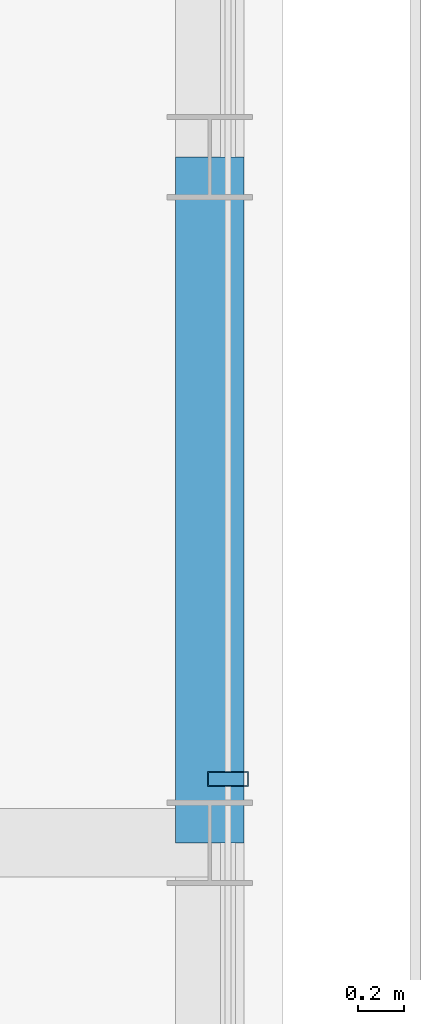
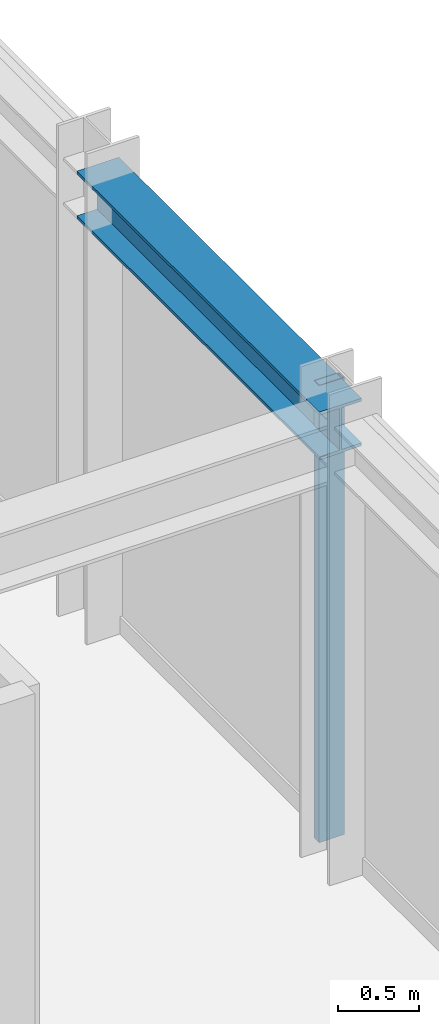
# One storey, part 15 of 32: 1 beam, 1 member, 1 element without a shape of its own.
"""IFC4 building model written with IfcOpenShell, lengths in metres."""

from ifc_helpers import new_model, si_unit, direction, frame, origin, origin_2d, place, context, subcontext, project, spatial, hollow_rectangle, i_section, extrude, source, transform, mapped, material, material_profile, profile_set, type_object, element, aggregate, save


model = new_model("IFC4")

# Units and contexts
model_context = context("Model", 3, precision=1e-05, world=origin(), true_north=direction((0.0, 1.0)))
body_context = subcontext(model_context, "Body", "Model", "MODEL_VIEW")
ifc_project = project(units=[si_unit("LENGTHUNIT", "METRE"), si_unit("AREAUNIT", "SQUARE_METRE"), si_unit("VOLUMEUNIT", "CUBIC_METRE"), si_unit("PLANEANGLEUNIT", "RADIAN"), si_unit("MASSUNIT", "GRAM", prefix="KILO")], contexts=[model_context])

# Site, building, storey
site_placement = place(None, origin())
site = spatial("IfcSite", under=ifc_project, at=site_placement, CompositionType="ELEMENT")
building_placement = place(site_placement, origin())
building = spatial("IfcBuilding", under=site, at=building_placement, Name="Nahalor Promenade Grand Hotel", CompositionType="ELEMENT")
storey_placement = place(building_placement, frame((0.0, 0.0, 266.300048828125)))
storey = spatial("IfcBuildingStorey", under=building, at=storey_placement, Name="L68", CompositionType="ELEMENT", Elevation=266.300048828125)

# Beam
ifc_material_1 = material(Name="Steel S355JR", Category="steel")
ifc_material_profile_1 = material_profile(ifc_material_1, i_section(OverallWidth=0.3, OverallDepth=0.36, WebThickness=0.0125, FlangeThickness=0.0225, at=origin_2d()), Name="HEB 360")
ifc_profile_set_1 = profile_set([ifc_material_profile_1], Name="Steel S355JR")
beam_type = type_object("IfcBeamType", Name="Beam-Spandrel-HEB360", PredefinedType="SPANDREL", material=ifc_profile_set_1)
shared_shape_1 = source(origin(), body_context, "Body", "SweptSolid", [
    extrude(i_section(OverallWidth=0.3, OverallDepth=0.36, WebThickness=0.0125, FlangeThickness=0.0225, at=origin_2d()), origin(), (0.0, 0.0, 1.0), 3.0),
])
beam_placement = place(storey_placement, frame((22.47998046875, 5.39990234375, 3.27001953125), z_axis=(0.0, 1.0, 0.0), x_axis=(-1.0, 0.0, 0.0)))
element("IfcBeam", 1, at=beam_placement, inside=storey, type_object=beam_type, Name="BM-L68-SP-E-3", PredefinedType="SPANDREL", context=body_context, shape_type="MappedRepresentation", body=[
    mapped(shared_shape_1, transform((0.0, 0.0, 0.0), scale=1.0)),
])

# Curtain wall, member
ifc_material_2 = material(Name="Anodised Bronze Aluminium EN AW-6063 T6", Category="aluminium")
curtain_wall_type = type_object("IfcCurtainWallType", Name="CW2 Typical Hotel Flush Bronze Unitised Curtain Wall", PredefinedType="USERDEFINED", material=ifc_material_2)
curtain_wall_placement = place(storey_placement, origin())
curtain_wall = element("IfcCurtainWall", 2, at=curtain_wall_placement, inside=storey, type_object=curtain_wall_type, Name="L68 Curtain Wall CW-L68-E-3", ObjectType="UNITISED_CURTAIN_WALL", PredefinedType="USERDEFINED")
ifc_material_profile_2 = material_profile(ifc_material_2, hollow_rectangle(XDim=0.065, YDim=0.18, WallThickness=0.004, at=origin_2d()), Name="CWM 65x180x4")
ifc_profile_set_2 = profile_set([ifc_material_profile_2], Name="Anodised Bronze Aluminium EN AW-6063 T6")
member_type = type_object("IfcMemberType", Name="CWM2 Typical Bronze Mullion 65x180", PredefinedType="MULLION", material=ifc_profile_set_2)
shared_shape_2 = source(origin(), body_context, "Body", "SweptSolid", [
    extrude(hollow_rectangle(XDim=0.065, YDim=0.18, WallThickness=0.004, at=origin_2d()), origin(), (0.0, 0.0, 1.0), 3.449951171875),
])
member_placement = place(storey_placement, frame((22.56005859375, 5.679931640625, 0.0), z_axis=(0.0, 0.0, 1.0), x_axis=(0.0, 1.0, 0.0)))
member = element("IfcMember", 3, at=member_placement, type_object=member_type, Name="CW-L68-E-3 Mullion 1", PredefinedType="MULLION", context=body_context, shape_type="MappedRepresentation", body=[
    mapped(shared_shape_2, transform((0.0, 0.0, 0.0), scale=1.0)),
])
aggregate(curtain_wall, [member])

save(model, "model.ifc")
